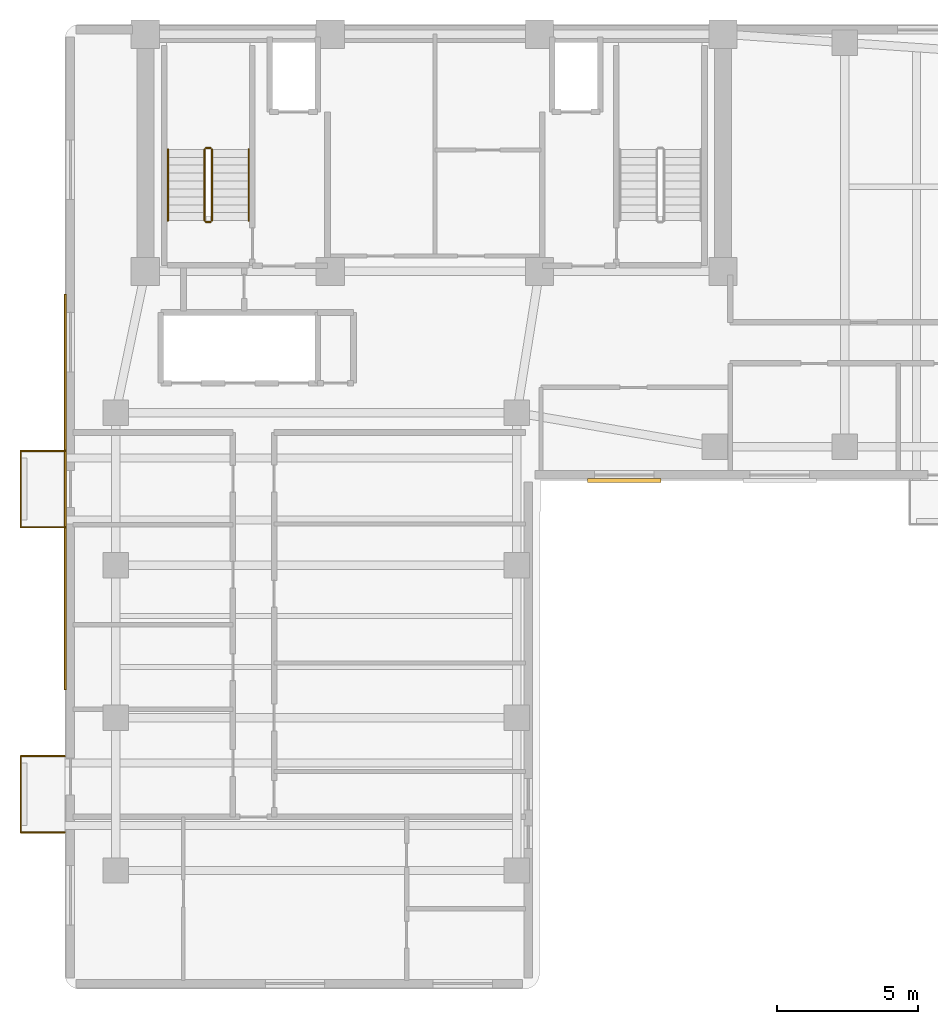
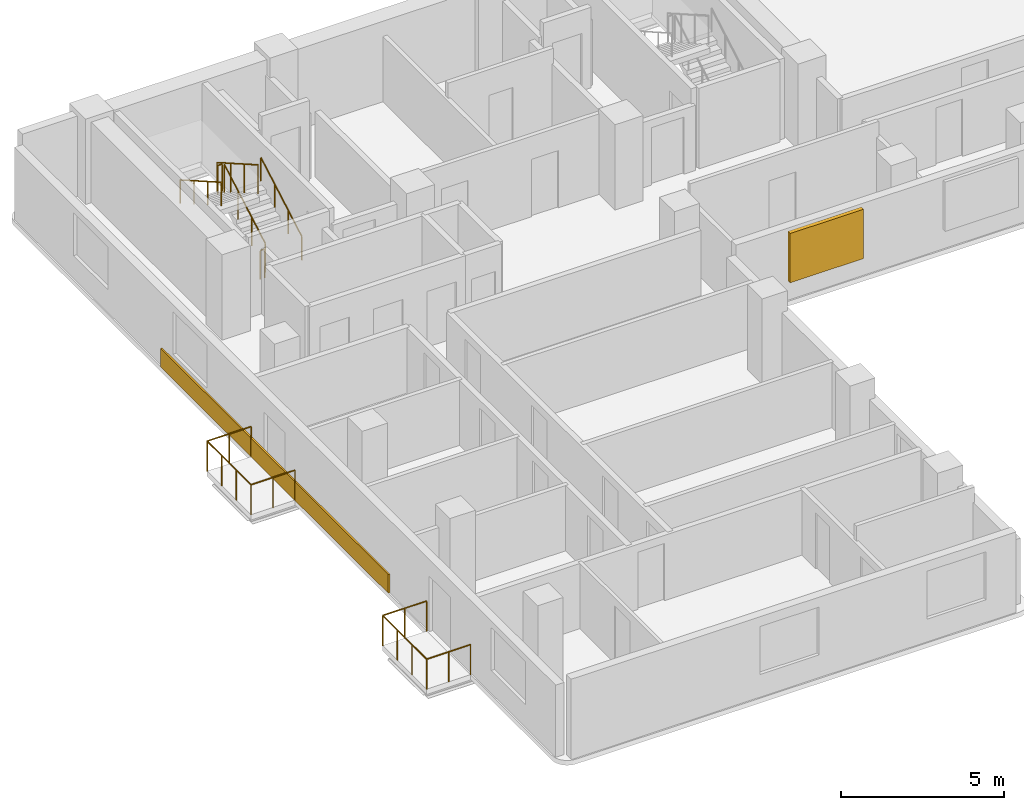
# One storey, part 5 of 6: 12 railings, 1 covering, 1 shading device.
"""IFC4 building model written with IfcOpenShell, lengths in metres."""

from ifc_helpers import new_model, si_unit, direction, frame, origin, origin_2d, place, context, subcontext, project, spatial, rectangle, circle, extrude, material, layer, layer_set, type_object, element, save


model = new_model("IFC4")

# Units and contexts
model_context = context("Model", 3, precision=1e-05, world=origin(), true_north=direction((0.0, 1.0)))
body_context = subcontext(model_context, "Body", "Model", "MODEL_VIEW")
ifc_project = project(units=[si_unit("LENGTHUNIT", "METRE"), si_unit("AREAUNIT", "SQUARE_METRE"), si_unit("VOLUMEUNIT", "CUBIC_METRE"), si_unit("PLANEANGLEUNIT", "RADIAN"), si_unit("MASSUNIT", "GRAM", prefix="KILO")], contexts=[model_context])

# Site, building, storey
site_placement = place(None, origin())
site = spatial("IfcSite", under=ifc_project, at=site_placement, CompositionType="ELEMENT")
building_placement = place(site_placement, origin())
building = spatial("IfcBuilding", under=site, at=building_placement, Name="Kuzgunbayir Cultural Tower", CompositionType="ELEMENT")
storey_placement = place(building_placement, frame((0.0, 0.0, 169.60009765625)))
storey = spatial("IfcBuildingStorey", under=building, at=storey_placement, Name="L49", CompositionType="ELEMENT", Elevation=169.60009765625)

# Covering
ifc_material_1 = material(Name="Anatolian Cream Limestone", Category="masonry")
ifc_layer_1 = layer(ifc_material_1, 0.06005859375)
ifc_layer_set_1 = layer_set([ifc_layer_1], Name="Anatolian Cream Limestone")
covering_type = type_object("IfcCoveringType", Name="COV-CLAD-LIMESTONE-6", PredefinedType="CLADDING", material=ifc_layer_set_1)
covering_placement = place(storey_placement, frame((3.6201171875, 26.0, 0.0), z_axis=(0.0, 0.0, 1.0), x_axis=(1.0, 0.0, 0.0)))
element("IfcCovering", 1, at=covering_placement, inside=storey, type_object=covering_type, Name="L49 Architectural Spandrel Cladding Band", PredefinedType="CLADDING", context=body_context, shape_type="SweptSolid", body=[
    extrude(rectangle(XDim=0.06005859375, YDim=14.0, at=origin_2d()), origin(), (0.0, 0.0, 1.0), 0.699951171875),
])

# Railings
ifc_material_2 = material(Name="Laminated Glass and Stainless Steel", Category="steel")
ifc_layer_2 = layer(ifc_material_2, 0.080078125)
ifc_layer_set_2 = layer_set([ifc_layer_2], Name="Laminated Glass and Stainless Steel")
railing_type_1 = type_object("IfcRailingType", Name="RLG-BAL-115", PredefinedType="BALUSTRADE", material=ifc_layer_set_2)
railing_1_placement = place(storey_placement, frame((3.60009765625, 13.949951171875, 0.0)))
element("IfcRailing", 2, at=railing_1_placement, inside=storey, type_object=railing_type_1, Name="L49 Balcony Guard BAL-L49-WA1 Segment 1", PredefinedType="BALUSTRADE", context=body_context, shape_type="SweptSolid", body=[
    extrude(circle(Radius=0.02392578125, at=origin_2d()), frame((0.0, 0.0, 1.1259765625), z_axis=(-1.0, 0.0, 0.0), x_axis=(0.0, -1.0, 0.0)), (0.0, 0.0, 1.0), 1.56005859375),
    extrude(circle(Radius=0.02099609375, at=origin_2d()), origin(), (0.0, 0.0, 1.0), 1.101806640625),
    extrude(circle(Radius=0.02099609375, at=origin_2d()), frame((-0.780029296875, 0.0, 0.0)), (0.0, 0.0, 1.0), 1.101806640625),
    extrude(circle(Radius=0.02099609375, at=origin_2d()), frame((-1.56005859375, 0.0, 0.0)), (0.0, 0.0, 1.0), 1.101806640625),
])
railing_2_placement = place(storey_placement, frame((2.0400390625, 13.949951171875, 0.0)))
element("IfcRailing", 3, at=railing_2_placement, inside=storey, type_object=railing_type_1, Name="L49 Balcony Guard BAL-L49-WA1 Segment 2", PredefinedType="BALUSTRADE", context=body_context, shape_type="SweptSolid", body=[
    extrude(circle(Radius=0.02392578125, at=origin_2d()), frame((0.0, 0.0, 1.1259765625), z_axis=(0.0, 1.0, 0.0), x_axis=(-1.0, 0.0, 0.0)), (0.0, 0.0, 1.0), 2.699951171875),
    extrude(circle(Radius=0.02099609375, at=origin_2d()), origin(), (0.0, 0.0, 1.0), 1.101806640625),
    extrude(circle(Radius=0.02099609375, at=origin_2d()), frame((0.0, 0.89990234375, 0.0)), (0.0, 0.0, 1.0), 1.101806640625),
    extrude(circle(Radius=0.02099609375, at=origin_2d()), frame((0.0, 1.800048828125, 0.0)), (0.0, 0.0, 1.0), 1.101806640625),
    extrude(circle(Radius=0.02099609375, at=origin_2d()), frame((0.0, 2.699951171875, 0.0)), (0.0, 0.0, 1.0), 1.101806640625),
])
railing_3_placement = place(storey_placement, frame((2.0400390625, 16.64990234375, 0.0)))
element("IfcRailing", 4, at=railing_3_placement, inside=storey, type_object=railing_type_1, Name="L49 Balcony Guard BAL-L49-WA1 Segment 3", PredefinedType="BALUSTRADE", context=body_context, shape_type="SweptSolid", body=[
    extrude(circle(Radius=0.02392578125, at=origin_2d()), frame((0.0, 0.0, 1.1259765625), z_axis=(1.0, 0.0, 0.0), x_axis=(0.0, 1.0, 0.0)), (0.0, 0.0, 1.0), 1.56005859375),
    extrude(circle(Radius=0.02099609375, at=origin_2d()), origin(), (0.0, 0.0, 1.0), 1.101806640625),
    extrude(circle(Radius=0.02099609375, at=origin_2d()), frame((0.780029296875, 0.0, 0.0)), (0.0, 0.0, 1.0), 1.101806640625),
    extrude(circle(Radius=0.02099609375, at=origin_2d()), frame((1.56005859375, 0.0, 0.0)), (0.0, 0.0, 1.0), 1.101806640625),
])
railing_4_placement = place(storey_placement, frame((3.60009765625, 24.75, 0.0)))
element("IfcRailing", 5, at=railing_4_placement, inside=storey, type_object=railing_type_1, Name="L49 Balcony Guard BAL-L49-WA3 Segment 1", PredefinedType="BALUSTRADE", context=body_context, shape_type="SweptSolid", body=[
    extrude(circle(Radius=0.02392578125, at=origin_2d()), frame((0.0, 0.0, 1.1259765625), z_axis=(-1.0, 0.0, 0.0), x_axis=(0.0, -1.0, 0.0)), (0.0, 0.0, 1.0), 1.56005859375),
    extrude(circle(Radius=0.02099609375, at=origin_2d()), origin(), (0.0, 0.0, 1.0), 1.101806640625),
    extrude(circle(Radius=0.02099609375, at=origin_2d()), frame((-0.780029296875, 0.0, 0.0)), (0.0, 0.0, 1.0), 1.101806640625),
    extrude(circle(Radius=0.02099609375, at=origin_2d()), frame((-1.56005859375, 0.0, 0.0)), (0.0, 0.0, 1.0), 1.101806640625),
])
railing_5_placement = place(storey_placement, frame((2.0400390625, 24.75, 0.0)))
element("IfcRailing", 6, at=railing_5_placement, inside=storey, type_object=railing_type_1, Name="L49 Balcony Guard BAL-L49-WA3 Segment 2", PredefinedType="BALUSTRADE", context=body_context, shape_type="SweptSolid", body=[
    extrude(circle(Radius=0.02392578125, at=origin_2d()), frame((0.0, 0.0, 1.1259765625), z_axis=(0.0, 1.0, 0.0), x_axis=(-1.0, 0.0, 0.0)), (0.0, 0.0, 1.0), 2.699951171875),
    extrude(circle(Radius=0.02099609375, at=origin_2d()), origin(), (0.0, 0.0, 1.0), 1.101806640625),
    extrude(circle(Radius=0.02099609375, at=origin_2d()), frame((0.0, 0.89990234375, 0.0)), (0.0, 0.0, 1.0), 1.101806640625),
    extrude(circle(Radius=0.02099609375, at=origin_2d()), frame((0.0, 1.800048828125, 0.0)), (0.0, 0.0, 1.0), 1.101806640625),
    extrude(circle(Radius=0.02099609375, at=origin_2d()), frame((0.0, 2.699951171875, 0.0)), (0.0, 0.0, 1.0), 1.101806640625),
])
railing_6_placement = place(storey_placement, frame((2.0400390625, 27.449951171875, 0.0)))
element("IfcRailing", 7, at=railing_6_placement, inside=storey, type_object=railing_type_1, Name="L49 Balcony Guard BAL-L49-WA3 Segment 3", PredefinedType="BALUSTRADE", context=body_context, shape_type="SweptSolid", body=[
    extrude(circle(Radius=0.02392578125, at=origin_2d()), frame((0.0, 0.0, 1.1259765625), z_axis=(1.0, 0.0, 0.0), x_axis=(0.0, 1.0, 0.0)), (0.0, 0.0, 1.0), 1.56005859375),
    extrude(circle(Radius=0.02099609375, at=origin_2d()), origin(), (0.0, 0.0, 1.0), 1.101806640625),
    extrude(circle(Radius=0.02099609375, at=origin_2d()), frame((0.780029296875, 0.0, 0.0)), (0.0, 0.0, 1.0), 1.101806640625),
    extrude(circle(Radius=0.02099609375, at=origin_2d()), frame((1.56005859375, 0.0, 0.0)), (0.0, 0.0, 1.0), 1.101806640625),
])
ifc_material_3 = material(Name="Brushed Stainless Steel", Category="steel")
ifc_layer_3 = layer(ifc_material_3, 0.050048828125)
ifc_layer_set_3 = layer_set([ifc_layer_3], Name="Brushed Stainless Steel")
railing_type_2 = type_object("IfcRailingType", Name="RLG-STAIR-HANDRAIL", PredefinedType="HANDRAIL", material=ifc_layer_set_3)
railing_7_placement = place(storey_placement, frame((10.110107421875, 35.60009765625, 0.159912109375)))
element("IfcRailing", 8, at=railing_7_placement, inside=storey, type_object=railing_type_2, Name="L49 ST-1 stair handrail 1", PredefinedType="HANDRAIL", context=body_context, shape_type="SweptSolid", body=[
    extrude(circle(Radius=0.02392578125, at=origin_2d()), frame((0.0, 0.0, 0.8759765625), z_axis=(0.0, 0.868253494771, 0.496120820787), x_axis=(-1.0, 0.0, 0.0)), (0.0, 0.0, 1.0), 2.90234375),
    extrude(circle(Radius=0.02099609375, at=origin_2d()), origin(), (0.0, 0.0, 1.0), 0.851806640625),
    extrude(circle(Radius=0.02099609375, at=origin_2d()), frame((0.0, 0.840087890625, 0.47998046875)), (0.0, 0.0, 1.0), 0.851806640625),
    extrude(circle(Radius=0.02099609375, at=origin_2d()), frame((0.0, 1.679931640625, 0.9599609375)), (0.0, 0.0, 1.0), 0.851806640625),
    extrude(circle(Radius=0.02099609375, at=origin_2d()), frame((0.0, 2.52001953125, 1.43994140625)), (0.0, 0.0, 1.0), 0.851806640625),
])
railing_8_placement = place(storey_placement, frame((7.25, 38.1201171875, 1.760009765625)))
element("IfcRailing", 9, at=railing_8_placement, inside=storey, type_object=railing_type_2, Name="L49 ST-1 stair handrail 2", PredefinedType="HANDRAIL", context=body_context, shape_type="SweptSolid", body=[
    extrude(circle(Radius=0.02392578125, at=origin_2d()), frame((0.0, 0.0, 0.8759765625), z_axis=(0.0, -0.868253494771, 0.496120820787), x_axis=(1.0, 0.0, 0.0)), (0.0, 0.0, 1.0), 2.90234375),
    extrude(circle(Radius=0.02099609375, at=origin_2d()), origin(), (0.0, 0.0, 1.0), 0.851806640625),
    extrude(circle(Radius=0.02099609375, at=origin_2d()), frame((0.0, -0.840087890625, 0.47998046875)), (0.0, 0.0, 1.0), 0.851806640625),
    extrude(circle(Radius=0.02099609375, at=origin_2d()), frame((0.0, -1.679931640625, 0.9599609375)), (0.0, 0.0, 1.0), 0.851806640625),
    extrude(circle(Radius=0.02099609375, at=origin_2d()), frame((0.0, -2.52001953125, 1.43994140625)), (0.0, 0.0, 1.0), 0.851806640625),
])
ifc_material_4 = material(Name="Painted Steel Balustrade", Category="steel")
ifc_layer_4 = layer(ifc_material_4, 0.06005859375)
ifc_layer_set_4 = layer_set([ifc_layer_4], Name="Painted Steel Balustrade")
railing_type_3 = type_object("IfcRailingType", Name="RLG-WELL-GUARD", PredefinedType="GUARDRAIL", material=ifc_layer_set_4)
railing_9_placement = place(storey_placement, frame((8.81005859375, 35.60009765625, 0.159912109375)))
element("IfcRailing", 10, at=railing_9_placement, inside=storey, type_object=railing_type_3, Name="L49 ST-1 stair guard 1", PredefinedType="GUARDRAIL", context=body_context, shape_type="SweptSolid", body=[
    extrude(circle(Radius=0.02392578125, at=origin_2d()), frame((0.0, 0.0, 1.076171875), z_axis=(0.0, 0.868253494771, 0.496120820787), x_axis=(-1.0, 0.0, 0.0)), (0.0, 0.0, 1.0), 2.90234375),
    extrude(circle(Radius=0.02099609375, at=origin_2d()), origin(), (0.0, 0.0, 1.0), 1.052001953125),
    extrude(circle(Radius=0.02099609375, at=origin_2d()), frame((0.0, 0.840087890625, 0.47998046875)), (0.0, 0.0, 1.0), 1.052001953125),
    extrude(circle(Radius=0.02099609375, at=origin_2d()), frame((0.0, 1.679931640625, 0.9599609375)), (0.0, 0.0, 1.0), 1.052001953125),
    extrude(circle(Radius=0.02099609375, at=origin_2d()), frame((0.0, 2.52001953125, 1.43994140625)), (0.0, 0.0, 1.0), 1.052001953125),
])
railing_10_placement = place(storey_placement, frame((8.760009765625, 38.169921875, 1.599853515625)))
element("IfcRailing", 11, at=railing_10_placement, inside=storey, type_object=railing_type_3, Name="L49 ST-1 stair guard 2", PredefinedType="GUARDRAIL", context=body_context, shape_type="SweptSolid", body=[
    extrude(circle(Radius=0.02392578125, at=origin_2d()), frame((0.0, 0.0, 1.076171875), z_axis=(-1.0, 0.0, 0.0), x_axis=(0.0, -1.0, 0.0)), (0.0, 0.0, 1.0), 0.159912109375),
    extrude(circle(Radius=0.02099609375, at=origin_2d()), origin(), (0.0, 0.0, 1.0), 1.052001953125),
    extrude(circle(Radius=0.02099609375, at=origin_2d()), frame((-0.159912109375, 0.0, 0.0)), (0.0, 0.0, 1.0), 1.052001953125),
])
railing_11_placement = place(storey_placement, frame((8.550048828125, 38.1201171875, 1.760009765625)))
element("IfcRailing", 12, at=railing_11_placement, inside=storey, type_object=railing_type_3, Name="L49 ST-1 stair guard 3", PredefinedType="GUARDRAIL", context=body_context, shape_type="SweptSolid", body=[
    extrude(circle(Radius=0.02392578125, at=origin_2d()), frame((0.0, 0.0, 1.076171875), z_axis=(0.0, -0.868253494771, 0.496120820787), x_axis=(1.0, 0.0, 0.0)), (0.0, 0.0, 1.0), 2.90234375),
    extrude(circle(Radius=0.02099609375, at=origin_2d()), origin(), (0.0, 0.0, 1.0), 1.052001953125),
    extrude(circle(Radius=0.02099609375, at=origin_2d()), frame((0.0, -0.840087890625, 0.47998046875)), (0.0, 0.0, 1.0), 1.052001953125),
    extrude(circle(Radius=0.02099609375, at=origin_2d()), frame((0.0, -1.679931640625, 0.9599609375)), (0.0, 0.0, 1.0), 1.052001953125),
    extrude(circle(Radius=0.02099609375, at=origin_2d()), frame((0.0, -2.52001953125, 1.43994140625)), (0.0, 0.0, 1.0), 1.052001953125),
])
railing_12_placement = place(storey_placement, frame((8.760009765625, 35.550048828125, 0.0)))
element("IfcRailing", 13, at=railing_12_placement, inside=storey, type_object=railing_type_3, Name="L49 ST-1 stair guard 4", PredefinedType="GUARDRAIL", context=body_context, shape_type="SweptSolid", body=[
    extrude(circle(Radius=0.02392578125, at=origin_2d()), frame((0.0, 0.0, 1.076171875), z_axis=(-1.0, 0.0, 0.0), x_axis=(0.0, -1.0, 0.0)), (0.0, 0.0, 1.0), 0.159912109375),
    extrude(circle(Radius=0.02099609375, at=origin_2d()), origin(), (0.0, 0.0, 1.0), 1.052001953125),
    extrude(circle(Radius=0.02099609375, at=origin_2d()), frame((-0.159912109375, 0.0, 0.0)), (0.0, 0.0, 1.0), 1.052001953125),
])

# Shading device
ifc_material_5 = material(Name="Perforated Bronze-Anodised Aluminium", Category="aluminium")
shading_device_type = type_object("IfcShadingDeviceType", Name="SHD-SOLAR-BRONZE", PredefinedType="JALOUSIE", material=ifc_material_5)
shading_device_placement = place(storey_placement, frame((23.39990234375, 26.39990234375, 0.724853515625), z_axis=(0.0, 0.0, 1.0), x_axis=(1.0, 0.0, 0.0)))
element("IfcShadingDevice", 14, at=shading_device_placement, inside=storey, type_object=shading_device_type, Name="L49 Solar Screen WBS13", PredefinedType="JALOUSIE", context=body_context, shape_type="SweptSolid", body=[
    extrude(rectangle(XDim=2.60009765625, YDim=0.139892578125, at=origin_2d()), origin(), (0.0, 0.0, 1.0), 1.85009765625),
])

save(model, "model.ifc")
